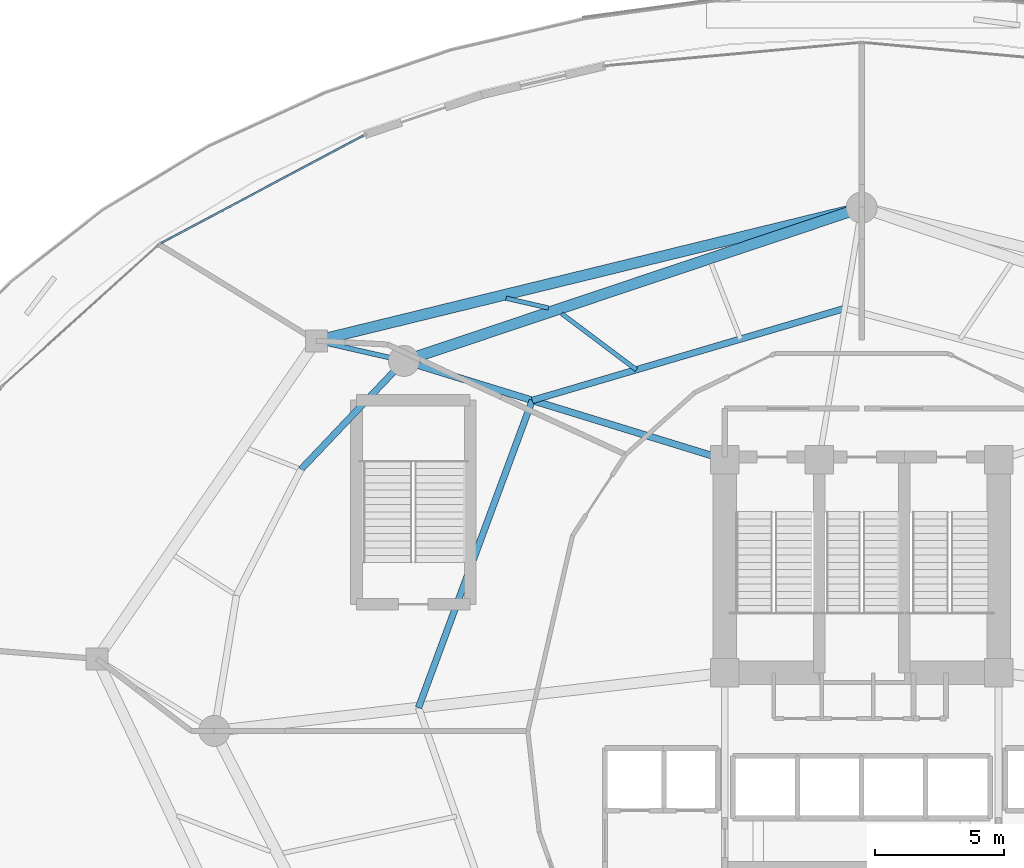
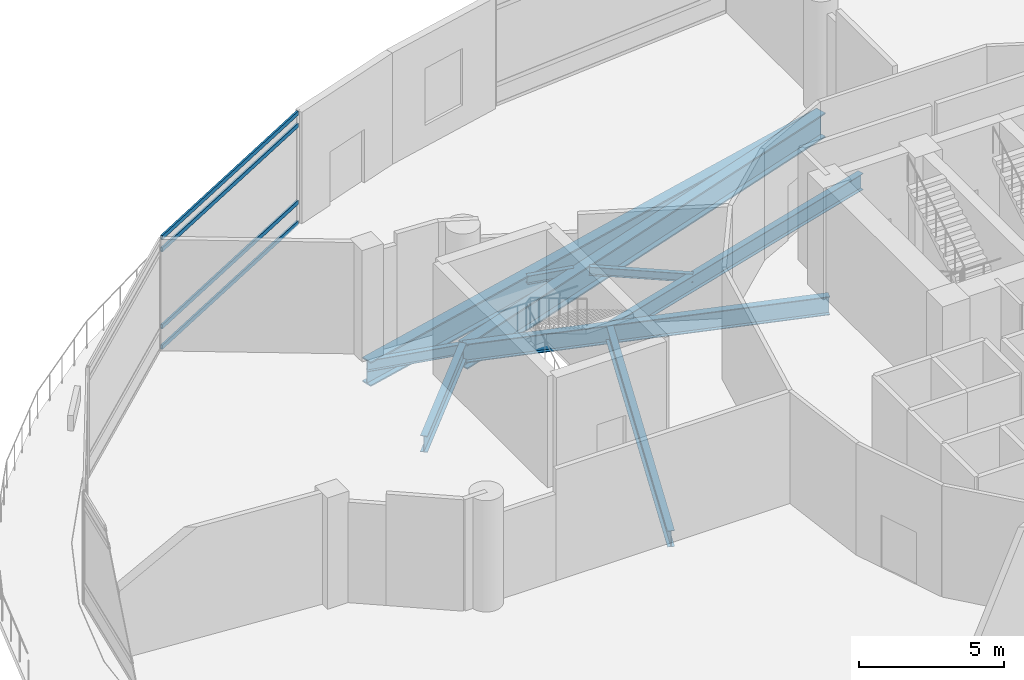
# One storey, part 16 of 37: 9 beams, 4 members, 1 element without a shape of its own.
"""IFC4 building model written with IfcOpenShell, lengths in metres."""

import ifcopenshell
import ifcopenshell.guid

model = None  # the IFC model being written
_history = None  # IfcOwnerHistory: only IFC2X3 demands one
_inside = {}  # id of a spatial element -> (the spatial element, [elements in it])
_under = {}  # id of a project, library or spatial element -> (it, [spatial elements below it])
_declared = {}  # id of a project -> (the project, [libraries it declares])
_typed = {}  # id of a type object -> (the type object, [elements of that type])
_made_of = {}  # id of a material, layer set ... -> (it, [elements and type objects made of it])


def new_model(schema):
    """Start an empty IFC model of exactly this schema.

    Asked for "IFC4X3", IfcOpenShell would pick the latest addendum, in which some entities
    have other attributes; the version numbers below select the first issue.
    IFC2X3 requires an IfcOwnerHistory on every rooted entity: one is made here for all.
    """
    global model, _history
    if schema == "IFC4X3":
        model = ifcopenshell.file(schema_version=(4, 3, 0, 0))
    else:
        model = ifcopenshell.file(schema=schema)
    _inside.clear()
    _under.clear()
    _declared.clear()
    _typed.clear()
    _made_of.clear()
    _history = None
    if model.schema == "IFC2X3":
        org = make("IfcOrganization", Name="unknown")
        user = make(
            "IfcPersonAndOrganization",
            ThePerson=make("IfcPerson", FamilyName="unknown"),
            TheOrganization=org,
        )
        app = make(
            "IfcApplication",
            ApplicationDeveloper=org,
            Version="unknown",
            ApplicationFullName="unknown",
            ApplicationIdentifier="unknown",
        )
        _history = make(
            "IfcOwnerHistory",
            OwningUser=user,
            OwningApplication=app,
            ChangeAction="ADDED",
            CreationDate=0,
        )
    return model


def make(cls, **values):
    """One entity of the class cls with the attributes given. An attribute that is None is left unset."""
    return model.create_entity(
        cls, **{name: value for name, value in values.items() if value is not None}
    )


def rooted(cls, **values):
    """An entity with a GlobalId (a new one), such as an element, a storey or a relation."""
    return make(cls, GlobalId=ifcopenshell.guid.new(), OwnerHistory=_history, **values)


def si_unit(unit_type, name, prefix=None):
    """IfcSIUnit, for example si_unit("LENGTHUNIT", "METRE", prefix="MILLI")."""
    return make("IfcSIUnit", UnitType=unit_type, Prefix=prefix, Name=name)


def assignment(units):
    """IfcUnitAssignment: the units of a project."""
    return None if units is None else make("IfcUnitAssignment", Units=units)


def point(xyz):
    """IfcCartesianPoint."""
    return None if xyz is None else make("IfcCartesianPoint", Coordinates=xyz)


def direction(xyz):
    """IfcDirection."""
    return None if xyz is None else make("IfcDirection", DirectionRatios=xyz)


def frame(location, z_axis=None, x_axis=None):
    """IfcAxis2Placement3D, a coordinate frame: its origin and axes. An axis left out is left unset."""
    return make(
        "IfcAxis2Placement3D",
        Location=point(location),
        Axis=direction(z_axis),
        RefDirection=direction(x_axis),
    )


def frame_2d(location, x_axis=None):
    """IfcAxis2Placement2D, a coordinate frame in the plane: its origin and x axis."""
    return make(
        "IfcAxis2Placement2D", Location=point(location), RefDirection=direction(x_axis)
    )


def origin():
    """The frame at (0, 0, 0) with its axes left unset."""
    return frame((0.0, 0.0, 0.0))


def origin_2d():
    """The frame at (0, 0) in the plane with its x axis left unset."""
    return frame_2d((0.0, 0.0))


def place(relative_to, where):
    """IfcLocalPlacement: puts the frame where relative to a parent placement (None: the world)."""
    return make(
        "IfcLocalPlacement", PlacementRelTo=relative_to, RelativePlacement=where
    )


def context(
    kind, dimensions, precision=None, world=None, true_north=None, identifier=None
):
    """IfcGeometricRepresentationContext, for example the 3D "Model" context."""
    return make(
        "IfcGeometricRepresentationContext",
        ContextIdentifier=identifier,
        ContextType=kind,
        CoordinateSpaceDimension=dimensions,
        Precision=precision,
        WorldCoordinateSystem=world,
        TrueNorth=true_north,
    )


def subcontext(parent, identifier, kind, view, scale=None):
    """IfcGeometricRepresentationSubContext, for example "Body" below "Model"."""
    return make(
        "IfcGeometricRepresentationSubContext",
        ContextIdentifier=identifier,
        ContextType=kind,
        ParentContext=parent,
        TargetScale=scale,
        TargetView=view,
    )


def project(units=None, contexts=None):
    """IfcProject with its units and contexts."""
    return rooted(
        "IfcProject",
        Name="project",
        RepresentationContexts=contexts,
        UnitsInContext=assignment(units),
    )


def spatial(cls, under=None, at=None, **own):
    """A site, building, storey or space (cls), placed at a placement, below another one or the project."""
    s = rooted(cls, ObjectPlacement=at, **own)
    if under is not None:
        _under.setdefault(under.id(), (under, []))[1].append(s)
    return s


def profile(cls, at=None, kind="AREA", **sizes):
    """A parametric profile (cls). Its sizes go by their IFC names, for example OverallWidth=200.0."""
    return make(cls, ProfileType=kind, Position=at, **sizes)


def hollow_rectangle(**sizes):
    """IfcRectangleHollowProfileDef."""
    return profile("IfcRectangleHollowProfileDef", **sizes)


def i_section(**sizes):
    """IfcIShapeProfileDef."""
    return profile("IfcIShapeProfileDef", **sizes)


def extrude(swept, where, along, depth):
    """IfcExtrudedAreaSolid: the profile swept, set in the frame where, extruded along a direction by depth."""
    return make(
        "IfcExtrudedAreaSolid",
        SweptArea=swept,
        Position=where,
        ExtrudedDirection=direction(along),
        Depth=depth,
    )


def shape(context_of_items, identifier, shape_type, items):
    """IfcShapeRepresentation: the items that make up one representation, for example the "Body"."""
    return make(
        "IfcShapeRepresentation",
        ContextOfItems=context_of_items,
        RepresentationIdentifier=identifier,
        RepresentationType=shape_type,
        Items=items,
    )


def material(Name=None, Category=None):
    """IfcMaterial."""
    return make("IfcMaterial", Name=Name, Category=Category)


def layer(
    of_material, thickness, ventilated=None, Name=None, Category=None, Priority=None
):
    """IfcMaterialLayer: one layer of a wall or slab, of a material (None: an air gap)."""
    return make(
        "IfcMaterialLayer",
        Material=of_material,
        LayerThickness=thickness,
        IsVentilated=ventilated,
        Name=Name,
        Category=Category,
        Priority=Priority,
    )


def layer_set(layers, Name=None):
    """IfcMaterialLayerSet."""
    return make("IfcMaterialLayerSet", MaterialLayers=layers, LayerSetName=Name)


def material_profile(
    of_material, cross_section, Name=None, Category=None, Priority=None
):
    """IfcMaterialProfile: a cross section and its material."""
    return make(
        "IfcMaterialProfile",
        Name=Name,
        Material=of_material,
        Profile=cross_section,
        Priority=Priority,
        Category=Category,
    )


def profile_set(profiles, Name=None, composite=None):
    """IfcMaterialProfileSet."""
    return make(
        "IfcMaterialProfileSet",
        Name=Name,
        MaterialProfiles=profiles,
        CompositeProfile=composite,
    )


def made_of(thing, what):
    """Note that an element or type object is made of a material, layer set ...; save() writes the relation."""
    if what is not None:
        _made_of.setdefault(what.id(), (what, []))[1].append(thing)
    return thing


def type_object(cls, material=None, **own):
    """A type object (cls), such as IfcWallType, which elements share."""
    return made_of(rooted(cls, **own), material)


def element(
    cls,
    number,
    at=None,
    inside=None,
    cuts=None,
    type_object=None,
    material=None,
    context=None,
    identifier="Body",
    shape_type=None,
    held_by="IfcProductDefinitionShape",
    body=None,
    shapes=None,
    **own,
):
    """One element of the class cls, such as IfcWall. Its Tag is "e" and its number.

    at: its placement. inside: the storey or other place that contains it. cuts: it is an
    opening in that element (IfcRelVoidsElement). A single representation is given by context,
    identifier, shape_type and body (its items); several are given by shapes. held_by: the class
    of the entity that holds the representations. save() writes the other relations.
    """
    e = rooted(cls, Tag="e%d" % number, ObjectPlacement=at, **own)
    if body is not None:
        shapes = [shape(context, identifier, shape_type, body)]
    if shapes is not None:
        e.Representation = make(held_by, Representations=shapes)
    if inside is not None:
        _inside.setdefault(inside.id(), (inside, []))[1].append(e)
    if cuts is not None:
        rooted(
            "IfcRelVoidsElement", RelatingBuildingElement=cuts, RelatedOpeningElement=e
        )
    if type_object is not None:
        _typed.setdefault(type_object.id(), (type_object, []))[1].append(e)
    return made_of(e, material)


def aggregate(whole, parts):
    """IfcRelAggregates: a whole, such as a stair, and the parts it consists of."""
    return rooted("IfcRelAggregates", RelatingObject=whole, RelatedObjects=parts)


def save(model, path):
    """Write the relations noted so far, then the file.

    IfcRelAggregates (storeys below a building ...), IfcRelContainedInSpatialStructure (elements
    in a storey), IfcRelDefinesByType, IfcRelAssociatesMaterial and IfcRelDeclares: one each for
    every whole, place, type object, material and project.
    """
    for whole, parts in _under.values():
        aggregate(whole, parts)
    for where, things in _inside.values():
        rooted(
            "IfcRelContainedInSpatialStructure",
            RelatedElements=things,
            RelatingStructure=where,
        )
    for kind, things in _typed.values():
        rooted("IfcRelDefinesByType", RelatedObjects=things, RelatingType=kind)
    for what, things in _made_of.values():
        rooted("IfcRelAssociatesMaterial", RelatedObjects=things, RelatingMaterial=what)
    for by, libraries in _declared.values():
        rooted("IfcRelDeclares", RelatingContext=by, RelatedDefinitions=libraries)
    model.write(path)


model = new_model("IFC4")

# Units and contexts
model_context = context("Model", 3, precision=1e-05, world=origin(), true_north=direction((0.0, 1.0)))
body_context = subcontext(model_context, "Body", "Model", "MODEL_VIEW")
ifc_project = project(units=[si_unit("LENGTHUNIT", "METRE"), si_unit("AREAUNIT", "SQUARE_METRE"), si_unit("VOLUMEUNIT", "CUBIC_METRE"), si_unit("PLANEANGLEUNIT", "RADIAN"), si_unit("MASSUNIT", "GRAM", prefix="KILO")], contexts=[model_context])

# Site, building, storey
site_placement = place(None, origin())
site = spatial("IfcSite", under=ifc_project, at=site_placement, CompositionType="ELEMENT")
building_placement = place(site_placement, origin())
building = spatial("IfcBuilding", under=site, at=building_placement, Name="Nuhasar Tower", CompositionType="ELEMENT")
storey_placement = place(building_placement, frame((0.0, 0.0, 6.0)))
storey = spatial("IfcBuildingStorey", under=building, at=storey_placement, Name="L01", CompositionType="ELEMENT", Elevation=6.0)

# Beams
ifc_material_1 = material(Name="Steel S355", Category="steel")
ifc_material_profile_1 = material_profile(ifc_material_1, i_section(OverallWidth=0.25390625, OverallDepth=0.68408203125, WebThickness=0.012451171875, FlangeThickness=0.018798828125, at=origin_2d()), Name="W27X94")
ifc_profile_set_1 = profile_set([ifc_material_profile_1], Name="Steel S355")
beam_type_1 = type_object("IfcBeamType", Name="BM-INRING-W27X94", PredefinedType="BEAM", material=ifc_profile_set_1)
beam_1_placement = place(storey_placement, frame((38.340087890625, 43.14990234375, -0.64208984375), z_axis=(-0.959290190666, -0.28242225495, 0.0), x_axis=(0.28242225495, -0.959290190666, 0.0)))
element("IfcBeam", 1, at=beam_1_placement, inside=storey, type_object=beam_type_1, Name="L01 Inner Header Beam 06", PredefinedType="BEAM", context=body_context, shape_type="SweptSolid", body=[
    extrude(i_section(OverallWidth=0.25390625, OverallDepth=0.68408203125, WebThickness=0.012451171875, FlangeThickness=0.018798828125, at=origin_2d()), origin(), (0.0, 0.0, 1.0), 12.60107421875),
])
beam_2_placement = place(storey_placement, frame((26.251953125, 39.591064453125, -0.64208984375), z_axis=(-0.34715757476, -0.937806812881, 0.0), x_axis=(0.937806812881, -0.34715757476, 0.0)))
element("IfcBeam", 2, at=beam_2_placement, inside=storey, type_object=beam_type_1, Name="L01 Inner Header Beam 07", PredefinedType="BEAM", context=body_context, shape_type="SweptSolid", body=[
    extrude(i_section(OverallWidth=0.25390625, OverallDepth=0.68408203125, WebThickness=0.012451171875, FlangeThickness=0.018798828125, at=origin_2d()), origin(), (0.0, 0.0, 1.0), 12.6796875),
])
ifc_material_profile_2 = material_profile(ifc_material_1, i_section(OverallWidth=0.1708984375, OverallDepth=0.35205078125, WebThickness=0.0068359375, FlangeThickness=0.009765625, at=origin_2d()), Name="W14X30")
ifc_profile_set_2 = profile_set([ifc_material_profile_2], Name="Steel S355")
beam_type_2 = type_object("IfcBeamType", Name="BM-JST-W14X30", PredefinedType="JOIST", material=ifc_profile_set_2)
beam_3_placement = place(storey_placement, frame((30.281005859375, 40.777099609375, -0.47607421875), z_axis=(-0.799797251655, 0.600270236015, 0.0), x_axis=(-0.600270236015, -0.799797251655, 0.0)))
element("IfcBeam", 3, at=beam_3_placement, inside=storey, type_object=beam_type_2, Name="L01 Secondary Floor Joist 12", PredefinedType="JOIST", context=body_context, shape_type="SweptSolid", body=[
    extrude(i_section(OverallWidth=0.1708984375, OverallDepth=0.35205078125, WebThickness=0.0068359375, FlangeThickness=0.009765625, at=origin_2d()), origin(), (0.0, 0.0, 1.0), 3.61328125),
])
beam_4_placement = place(storey_placement, frame((26.882080078125, 43.1669921875, -0.47607421875), z_axis=(-0.974707362728, 0.223485026441, 0.0), x_axis=(-0.223485026441, -0.974707362728, 0.0)))
element("IfcBeam", 4, at=beam_4_placement, inside=storey, type_object=beam_type_2, Name="L01 Podium Secondary Joist 12", PredefinedType="JOIST", context=body_context, shape_type="SweptSolid", body=[
    extrude(i_section(OverallWidth=0.1708984375, OverallDepth=0.35205078125, WebThickness=0.0068359375, FlangeThickness=0.009765625, at=origin_2d()), origin(), (0.0, 0.0, 1.0), 1.686767578125),
])
ifc_material_profile_3 = material_profile(ifc_material_1, i_section(OverallWidth=0.18994140625, OverallDepth=0.45703125, WebThickness=0.009033203125, FlangeThickness=0.014404296875, at=origin_2d()), Name="W18X50")
ifc_profile_set_3 = profile_set([ifc_material_profile_3], Name="Steel S355")
beam_type_3 = type_object("IfcBeamType", Name="BM-RAD-W18X50", PredefinedType="BEAM", material=ifc_profile_set_3)
beam_5_placement = place(storey_placement, frame((21.287109375, 41.118896484375, -0.529052734375), z_axis=(-0.974715141502, 0.223451097394, 0.0), x_axis=(-0.223451097394, -0.974715141502, 0.0)))
element("IfcBeam", 5, at=beam_5_placement, inside=storey, type_object=beam_type_3, Name="L01 Podium Radial Girder 07", PredefinedType="BEAM", context=body_context, shape_type="SweptSolid", body=[
    extrude(i_section(OverallWidth=0.18994140625, OverallDepth=0.45703125, WebThickness=0.009033203125, FlangeThickness=0.014404296875, at=origin_2d()), origin(), (0.0, 0.0, 1.0), 3.482177734375),
])
ifc_material_profile_4 = material_profile(ifc_material_1, i_section(OverallWidth=0.26611328125, OverallDepth=0.779052734375, WebThickness=0.0166015625, FlangeThickness=0.030029296875, at=origin_2d()), Name="W30X148")
ifc_profile_set_4 = profile_set([ifc_material_profile_4], Name="Steel S355")
beam_type_4 = type_object("IfcBeamType", Name="BM-RAD-W30X148", PredefinedType="BEAM", material=ifc_profile_set_4)
beam_6_placement = place(storey_placement, frame((33.699951171875, 37.300048828125, -0.68896484375), z_axis=(-0.955789576103, 0.294051502653, 0.0), x_axis=(-0.294051502653, -0.955789576103, 0.0)))
element("IfcBeam", 6, at=beam_6_placement, inside=storey, type_object=beam_type_4, Name="L01 Radial Floor Girder 07", PredefinedType="BEAM", context=body_context, shape_type="SweptSolid", body=[
    extrude(i_section(OverallWidth=0.26611328125, OverallDepth=0.779052734375, WebThickness=0.0166015625, FlangeThickness=0.030029296875, at=origin_2d()), origin(), (0.0, 0.0, 1.0), 12.987060546875),
])
ifc_material_profile_5 = material_profile(ifc_material_1, i_section(OverallWidth=0.256103515625, OverallDepth=0.693115234375, WebThickness=0.014404296875, FlangeThickness=0.023681640625, at=origin_2d()), Name="W27X114")
ifc_profile_set_5 = profile_set([ifc_material_profile_5], Name="Steel S355")
beam_type_5 = type_object("IfcBeamType", Name="BM-RING-W27X114", PredefinedType="SPANDREL", material=ifc_profile_set_5)
beam_7_placement = place(storey_placement, frame((21.287109375, 41.118896484375, -0.64599609375), z_axis=(-0.688480893507, -0.725254478976, 0.0), x_axis=(0.725254478976, -0.688480893507, 0.0)))
element("IfcBeam", 7, at=beam_7_placement, inside=storey, type_object=beam_type_5, Name="L01 Mega-Column Perimeter Ring Spandrel 07-1", PredefinedType="SPANDREL", context=body_context, shape_type="SweptSolid", body=[
    extrude(i_section(OverallWidth=0.256103515625, OverallDepth=0.693115234375, WebThickness=0.014404296875, FlangeThickness=0.023681640625, at=origin_2d()), origin(), (0.0, 0.0, 1.0), 5.782470703125),
])
ifc_material_2 = material(Name="Steel S460", Category="steel")
ifc_material_profile_6 = material_profile(ifc_material_2, i_section(OverallWidth=0.419921875, OverallDepth=1.0400390625, WebThickness=0.031005859375, FlangeThickness=0.055908203125, at=origin_2d()), Name="W40X397")
ifc_profile_set_6 = profile_set([ifc_material_profile_6], Name="Steel S460")
beam_type_6 = type_object("IfcBeamType", Name="BM-XFER-W40X397", PredefinedType="USERDEFINED", material=ifc_profile_set_6)
beam_8_placement = place(storey_placement, frame((39.0, 47.050048828125, -0.820068359375), z_axis=(-0.948251107254, -0.317521397062, 0.0), x_axis=(0.317521397062, -0.948251107254, 0.0)))
element("IfcBeam", 8, at=beam_8_placement, inside=storey, type_object=beam_type_6, Name="L01 Mega-Column Ring Girder 06", ObjectType="GIRDER", PredefinedType="USERDEFINED", context=body_context, shape_type="SweptSolid", body=[
    extrude(i_section(OverallWidth=0.419921875, OverallDepth=1.0400390625, WebThickness=0.031005859375, FlangeThickness=0.055908203125, at=origin_2d()), origin(), (0.0, 0.0, 1.0), 18.679443359375),
])
beam_9_placement = place(storey_placement, frame((39.0, 47.050048828125, -0.820068359375), z_axis=(-0.971466874575, -0.23717527612, 0.0), x_axis=(0.23717527612, -0.971466874575, 0.0)))
element("IfcBeam", 9, at=beam_9_placement, inside=storey, type_object=beam_type_6, Name="L01 Podium Ring Girder 06", ObjectType="GIRDER", PredefinedType="USERDEFINED", context=body_context, shape_type="SweptSolid", body=[
    extrude(i_section(OverallWidth=0.419921875, OverallDepth=1.0400390625, WebThickness=0.031005859375, FlangeThickness=0.055908203125, at=origin_2d()), origin(), (0.0, 0.0, 1.0), 21.726806640625),
])

# Curtain wall, members
ifc_material_3 = material(Name="Aluminium 6063-T6", Category="aluminium")
ifc_layer = layer(ifc_material_3, 0.219970703125)
ifc_layer_set = layer_set([ifc_layer], Name="Aluminium 6063-T6")
curtain_wall_type = type_object("IfcCurtainWallType", Name="CW-PODIUM", PredefinedType="NOTDEFINED", material=ifc_layer_set)
curtain_wall_placement = place(storey_placement, origin())
curtain_wall = element("IfcCurtainWall", 10, at=curtain_wall_placement, inside=storey, type_object=curtain_wall_type, Name="L01 Podium Curtain Wall Bay 09", PredefinedType="NOTDEFINED")
ifc_material_profile_7 = material_profile(ifc_material_3, hollow_rectangle(XDim=0.074951171875, YDim=0.179931640625, WallThickness=0.00439453125, at=origin_2d()), Name="CWT-1")
ifc_profile_set_7 = profile_set([ifc_material_profile_7], Name="Aluminium 6063-T6")
member_type = type_object("IfcMemberType", Name="CW-TRN-S1", PredefinedType="USERDEFINED", material=ifc_profile_set_7)
member_1_placement = place(storey_placement, frame((19.7138671875, 49.835693359375, 0.03759765625), z_axis=(-0.882899591214, -0.469561829619, 0.0), x_axis=(0.469561829619, -0.882899591214, 0.0)))
member_1 = element("IfcMember", 11, at=member_1_placement, type_object=member_type, Name="CW-P1 transom 1.1", ObjectType="TRANSOM", PredefinedType="USERDEFINED", context=body_context, shape_type="SweptSolid", body=[
    extrude(hollow_rectangle(XDim=0.074951171875, YDim=0.179931640625, WallThickness=0.00439453125, at=origin_2d()), origin(), (0.0, 0.0, 1.0), 8.866943359375),
])
member_2_placement = place(storey_placement, frame((19.7138671875, 49.835693359375, 0.89990234375), z_axis=(-0.882899591214, -0.469561829619, 0.0), x_axis=(0.469561829619, -0.882899591214, 0.0)))
member_2 = element("IfcMember", 12, at=member_2_placement, type_object=member_type, Name="CW-P1 transom 1.2", ObjectType="TRANSOM", PredefinedType="USERDEFINED", context=body_context, shape_type="SweptSolid", body=[
    extrude(hollow_rectangle(XDim=0.074951171875, YDim=0.179931640625, WallThickness=0.00439453125, at=origin_2d()), origin(), (0.0, 0.0, 1.0), 8.866943359375),
])
member_3_placement = place(storey_placement, frame((19.7138671875, 49.835693359375, 4.14990234375), z_axis=(-0.882899591214, -0.469561829619, 0.0), x_axis=(0.469561829619, -0.882899591214, 0.0)))
member_3 = element("IfcMember", 13, at=member_3_placement, type_object=member_type, Name="CW-P1 transom 1.3", ObjectType="TRANSOM", PredefinedType="USERDEFINED", context=body_context, shape_type="SweptSolid", body=[
    extrude(hollow_rectangle(XDim=0.074951171875, YDim=0.179931640625, WallThickness=0.00439453125, at=origin_2d()), origin(), (0.0, 0.0, 1.0), 8.866943359375),
])
member_4_placement = place(storey_placement, frame((19.7138671875, 49.835693359375, 4.66259765625), z_axis=(-0.882899591214, -0.469561829619, 0.0), x_axis=(0.469561829619, -0.882899591214, 0.0)))
member_4 = element("IfcMember", 14, at=member_4_placement, type_object=member_type, Name="CW-P1 transom 1.4", ObjectType="TRANSOM", PredefinedType="USERDEFINED", context=body_context, shape_type="SweptSolid", body=[
    extrude(hollow_rectangle(XDim=0.074951171875, YDim=0.179931640625, WallThickness=0.00439453125, at=origin_2d()), origin(), (0.0, 0.0, 1.0), 8.866943359375),
])
aggregate(curtain_wall, [member_1, member_2, member_3, member_4])

save(model, "model.ifc")
